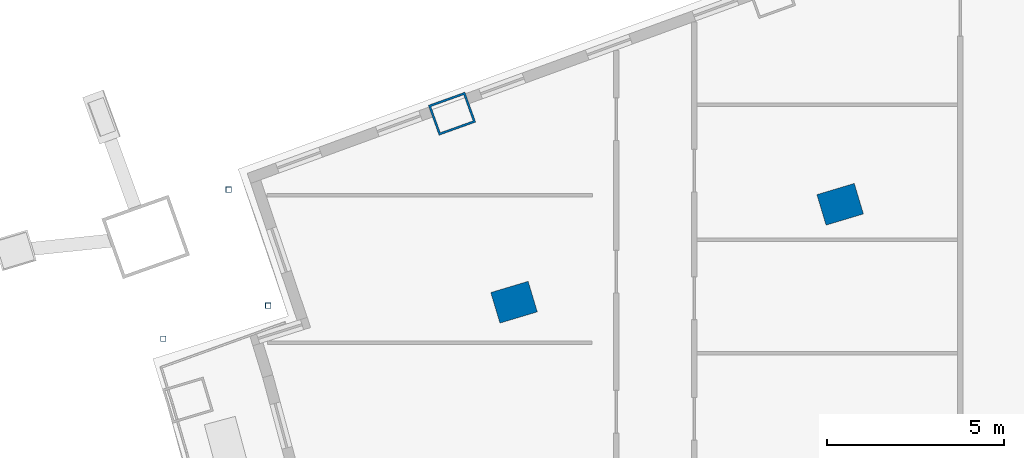
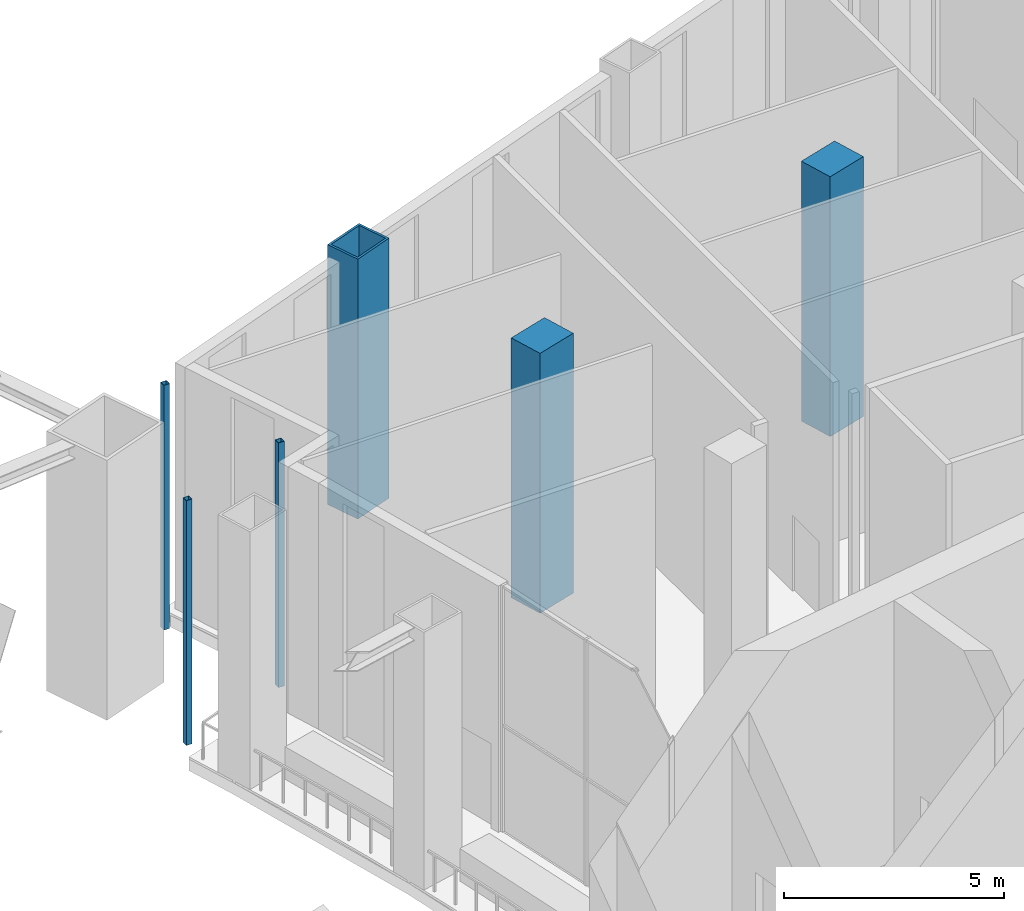
# One storey, part 6 of 27: 6 columns.
"""IFC4 building model written with IfcOpenShell, lengths in metres."""

from ifc_helpers import new_model, si_unit, direction, frame, origin, origin_2d, place, context, subcontext, project, spatial, rectangle, hollow_rectangle, extrude, material, material_profile, profile_set, type_object, element, save


model = new_model("IFC4")

# Units and contexts
model_context = context("Model", 3, precision=1e-05, world=origin(), true_north=direction((0.0, 1.0)))
body_context = subcontext(model_context, "Body", "Model", "MODEL_VIEW")
ifc_project = project(units=[si_unit("LENGTHUNIT", "METRE"), si_unit("AREAUNIT", "SQUARE_METRE"), si_unit("VOLUMEUNIT", "CUBIC_METRE"), si_unit("PLANEANGLEUNIT", "RADIAN"), si_unit("MASSUNIT", "GRAM", prefix="KILO")], contexts=[model_context])

# Site, building, storey
site_placement = place(None, origin())
site = spatial("IfcSite", under=ifc_project, at=site_placement, CompositionType="ELEMENT")
building_placement = place(site_placement, origin())
building = spatial("IfcBuilding", under=site, at=building_placement, Name="Alderwake Tower", CompositionType="ELEMENT")
storey_placement = place(building_placement, frame((0.0, 0.0, 75.199951171875)))
storey = spatial("IfcBuildingStorey", under=building, at=storey_placement, Name="L18", CompositionType="ELEMENT", Elevation=75.199951171875)

# Columns
ifc_material_1 = material(Name="Steel ASTM A572 Grade 50 concrete filled C70/85", Category="concrete")
ifc_material_profile_1 = material_profile(ifc_material_1, hollow_rectangle(XDim=0.89990234375, YDim=1.10009765625, WallThickness=0.06005859375, at=origin_2d()), Name="BOX 1100X900X60")
ifc_profile_set_1 = profile_set([ifc_material_profile_1], Name="Steel ASTM A572 Grade 50 concrete filled C70/85")
column_type_1 = type_object("IfcColumnType", Name="End column Z1", PredefinedType="COLUMN", material=ifc_profile_set_1)
column_placement = place(storey_placement, frame((19.965576171875, 96.8515625, 0.0), z_axis=(0.0, 0.0, 1.0), x_axis=(-0.337584879279, 0.9412950915, 0.0)))
element("IfcColumn", 1, at=column_placement, inside=storey, type_object=column_type_1, Name="Column R13-C1", PredefinedType="COLUMN", context=body_context, shape_type="SweptSolid", body=[
    extrude(hollow_rectangle(XDim=0.89990234375, YDim=1.10009765625, WallThickness=0.06005859375, at=origin_2d()), origin(), (0.0, 0.0, 1.0), 7.199951171875),
])
ifc_material_2 = material(Name="Concrete C70/85", Category="concrete")
ifc_material_profile_2 = material_profile(ifc_material_2, rectangle(XDim=0.89990234375, YDim=1.10009765625, at=origin_2d()), Name="RC 1100X900")
ifc_profile_set_2 = profile_set([ifc_material_profile_2], Name="Concrete C70/85")
column_type_2 = type_object("IfcColumnType", Name="Interior column Z1", PredefinedType="COLUMN", material=ifc_profile_set_2)
for number, where, z_axis, x_axis, name in (
    (2, (21.714599609375, 91.53759765625, 0.0), (0.0, 0.0, 1.0), (-0.287549418125, 0.957765802342, 0.0), "Column R12-C1"),
    (3, (30.9091796875, 94.298095703125, 0.0), (0.0, 0.0, 1.0), (-0.287549418125, 0.957765802342, 0.0), "Column R12-C2"),
):
    element("IfcColumn", number, at=place(storey_placement, frame(where, z_axis=z_axis, x_axis=x_axis)), inside=storey, type_object=column_type_2, Name=name, PredefinedType="COLUMN", context=body_context, shape_type="SweptSolid", body=[
        extrude(rectangle(XDim=0.89990234375, YDim=1.10009765625, at=origin_2d()), origin(), (0.0, 0.0, 1.0), 7.199951171875),
    ])
ifc_material_3 = material(Name="Steel ASTM A500 Grade C", Category="steel")
ifc_material_profile_3 = material_profile(ifc_material_3, hollow_rectangle(XDim=0.15234375, YDim=0.15234375, WallThickness=0.0087890625, at=origin_2d()), Name="HSS6X6X3/8")
ifc_profile_set_3 = profile_set([ifc_material_profile_3], Name="Steel ASTM A500 Grade C")
column_type_3 = type_object("IfcColumnType", Name="Light post HSS6X6X3/8", PredefinedType="COLUMN", material=ifc_profile_set_3)
for number, where, z_axis, x_axis, name in (
    (4, (11.82568359375, 90.507080078125, 0.0), (0.0, 0.0, 1.0), (1.0, 0.0, 0.0), "Terrace post RN1"),
    (5, (13.66796875, 94.71240234375, 0.0), (0.0, 0.0, 1.0), (1.0, 0.0, 0.0), "Terrace post RN2"),
    (6, (14.781494140625, 91.441650390625, 0.0), (0.0, 0.0, 1.0), (1.0, 0.0, 0.0), "Terrace post RN3"),
):
    element("IfcColumn", number, at=place(storey_placement, frame(where, z_axis=z_axis, x_axis=x_axis)), inside=storey, type_object=column_type_3, Name=name, PredefinedType="COLUMN", context=body_context, shape_type="SweptSolid", body=[
        extrude(hollow_rectangle(XDim=0.15234375, YDim=0.15234375, WallThickness=0.0087890625, at=origin_2d()), origin(), (0.0, 0.0, 1.0), 6.780029296875),
    ])

save(model, "model.ifc")
